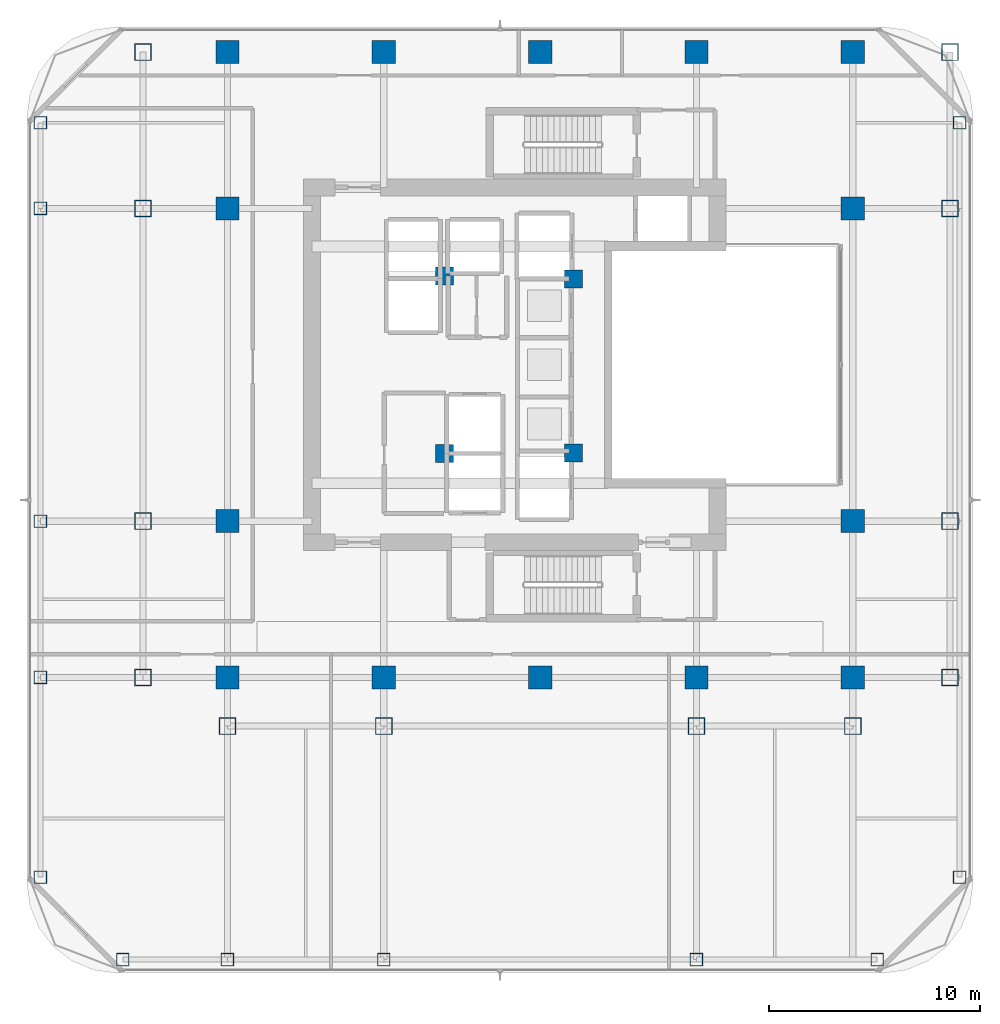
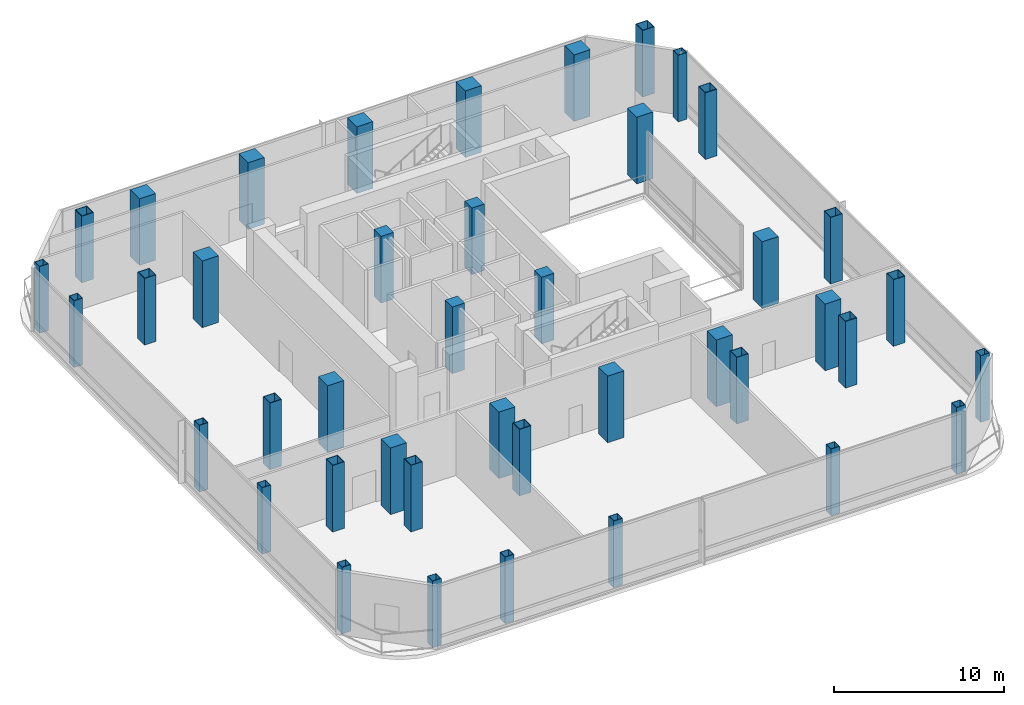
# One storey, part 1 of 22: 42 columns.
"""IFC4 building model written with IfcOpenShell, lengths in metres."""

from ifc_helpers import new_model, si_unit, direction, frame, origin, origin_2d, place, context, subcontext, project, spatial, rectangle, hollow_rectangle, extrude, material, material_profile, profile_set, type_object, element, save


model = new_model("IFC4")

# Units and contexts
model_context = context("Model", 3, precision=1e-05, world=origin(), true_north=direction((0.0, 1.0)))
body_context = subcontext(model_context, "Body", "Model", "MODEL_VIEW")
ifc_project = project(units=[si_unit("LENGTHUNIT", "METRE"), si_unit("AREAUNIT", "SQUARE_METRE"), si_unit("VOLUMEUNIT", "CUBIC_METRE"), si_unit("PLANEANGLEUNIT", "RADIAN"), si_unit("MASSUNIT", "GRAM", prefix="KILO")], contexts=[model_context])

# Site, building, storey
site_placement = place(None, origin())
site = spatial("IfcSite", under=ifc_project, at=site_placement, CompositionType="ELEMENT")
building_placement = place(site_placement, origin())
building = spatial("IfcBuilding", under=site, at=building_placement, Name="Khorvyn Point Tower", CompositionType="ELEMENT")
storey_placement = place(building_placement, frame((0.0, 0.0, 210.89990234375)))
storey = spatial("IfcBuildingStorey", under=building, at=storey_placement, Name="L52", CompositionType="ELEMENT", Elevation=210.89990234375)

# Columns
ifc_material_1 = material(Name="Concrete C40/50", Category="concrete")
ifc_material_profile_1 = material_profile(ifc_material_1, rectangle(XDim=0.85009765625, YDim=0.85009765625, at=origin_2d()))
ifc_profile_set_1 = profile_set([ifc_material_profile_1], Name="Concrete C40/50 RC850x850")
column_type_1 = type_object("IfcColumnType", Name="Concrete C40/50 Column RC850x850", PredefinedType="COLUMN", material=ifc_profile_set_1)
for number, where, z_axis, x_axis, name in (
    (1, (-4.52001953125, -4.199951171875, 0.0), (0.0, 0.0, 1.0), (1.0, 0.0, 0.0), "L52 Crown Core Spine Column 1"),
    (2, (1.580078125, -4.179931640625, 0.0), (0.0, 0.0, 1.0), (1.0, 0.0, 0.0), "L52 Crown Core Spine Column 2"),
    (3, (1.580078125, 4.050048828125, 0.0), (0.0, 0.0, 1.0), (1.0, 0.0, 0.0), "L52 Crown Core Spine Column 3"),
    (4, (-4.52001953125, 4.199951171875, 0.0), (0.0, 0.0, 1.0), (1.0, 0.0, 0.0), "L52 Crown Core Spine Column 4"),
):
    element("IfcColumn", number, at=place(storey_placement, frame(where, z_axis=z_axis, x_axis=x_axis)), inside=storey, type_object=column_type_1, Name=name, PredefinedType="COLUMN", context=body_context, shape_type="SweptSolid", body=[
        extrude(rectangle(XDim=0.85009765625, YDim=0.85009765625, at=origin_2d()), origin(), (0.0, 0.0, 1.0), 4.800048828125),
    ])
ifc_material_2 = material(Name="Concrete C45/55", Category="concrete")
ifc_material_profile_2 = material_profile(ifc_material_2, rectangle(XDim=1.10009765625, YDim=1.10009765625, at=origin_2d()))
ifc_profile_set_2 = profile_set([ifc_material_profile_2], Name="Concrete C45/55 RC1100x1100")
column_type_2 = type_object("IfcColumnType", Name="Concrete C45/55 Column RC1100x1100", PredefinedType="COLUMN", material=ifc_profile_set_2)
for number, where, z_axis, x_axis, name in (
    (5, (-14.800048828125, -14.800048828125, 0.0), (0.0, 0.0, 1.0), (1.0, 0.0, 0.0), "L52 Mega-Column MC-01"),
    (6, (-7.39990234375, -14.800048828125, 0.0), (0.0, 0.0, 1.0), (1.0, 0.0, 0.0), "L52 Mega-Column MC-02"),
    (7, (0.0, -14.800048828125, 0.0), (0.0, 0.0, 1.0), (1.0, 0.0, 0.0), "L52 Mega-Column MC-03"),
    (8, (7.39990234375, -14.800048828125, 0.0), (0.0, 0.0, 1.0), (1.0, 0.0, 0.0), "L52 Mega-Column MC-04"),
    (9, (14.800048828125, -14.800048828125, 0.0), (0.0, 0.0, 1.0), (1.0, 0.0, 0.0), "L52 Mega-Column MC-05"),
    (10, (-14.800048828125, 14.800048828125, 0.0), (0.0, 0.0, 1.0), (1.0, 0.0, 0.0), "L52 Mega-Column MC-06"),
    (11, (-7.39990234375, 14.800048828125, 0.0), (0.0, 0.0, 1.0), (1.0, 0.0, 0.0), "L52 Mega-Column MC-07"),
    (12, (0.0, 14.800048828125, 0.0), (0.0, 0.0, 1.0), (1.0, 0.0, 0.0), "L52 Mega-Column MC-08"),
    (13, (7.39990234375, 14.800048828125, 0.0), (0.0, 0.0, 1.0), (1.0, 0.0, 0.0), "L52 Mega-Column MC-09"),
    (14, (14.800048828125, 14.800048828125, 0.0), (0.0, 0.0, 1.0), (1.0, 0.0, 0.0), "L52 Mega-Column MC-10"),
    (15, (-14.800048828125, -7.39990234375, 0.0), (0.0, 0.0, 1.0), (1.0, 0.0, 0.0), "L52 Mega-Column MC-11"),
    (16, (-14.800048828125, 7.39990234375, 0.0), (0.0, 0.0, 1.0), (1.0, 0.0, 0.0), "L52 Mega-Column MC-12"),
    (17, (14.800048828125, -7.39990234375, 0.0), (0.0, 0.0, 1.0), (1.0, 0.0, 0.0), "L52 Mega-Column MC-13"),
    (18, (14.800048828125, 7.39990234375, 0.0), (0.0, 0.0, 1.0), (1.0, 0.0, 0.0), "L52 Mega-Column MC-14"),
):
    element("IfcColumn", number, at=place(storey_placement, frame(where, z_axis=z_axis, x_axis=x_axis)), inside=storey, type_object=column_type_2, Name=name, PredefinedType="COLUMN", context=body_context, shape_type="SweptSolid", body=[
        extrude(rectangle(XDim=1.10009765625, YDim=1.10009765625, at=origin_2d()), origin(), (0.0, 0.0, 1.0), 4.800048828125),
    ])
ifc_material_3 = material(Name="Steel S450", Category="steel")
ifc_material_profile_3 = material_profile(ifc_material_3, hollow_rectangle(XDim=0.60009765625, YDim=0.60009765625, WallThickness=0.028076171875, at=origin_2d()))
ifc_profile_set_3 = profile_set([ifc_material_profile_3], Name="Steel S450 BOX600x600x28")
column_type_3 = type_object("IfcColumnType", Name="Steel S450 Structural Column BOX600x600x28", PredefinedType="COLUMN", material=ifc_profile_set_3)
for number, where, z_axis, x_axis, name in (
    (19, (-19.75, -28.14990234375, 0.0), (0.0, 0.0, 1.0), (1.0, 0.0, 0.0), "L52 Perimeter Tube Column TC-01"),
    (20, (15.949951171875, -28.14990234375, 0.0), (0.0, 0.0, 1.0), (1.0, 0.0, 0.0), "L52 Perimeter Tube Column TC-02"),
    (21, (-23.64990234375, -24.25, 0.0), (0.0, 0.0, 1.0), (1.0, 0.0, 0.0), "L52 Perimeter Tube Column TC-03"),
    (22, (-23.64990234375, 11.449951171875, 0.0), (0.0, 0.0, 1.0), (1.0, 0.0, 0.0), "L52 Perimeter Tube Column TC-04"),
    (23, (19.85009765625, -24.25, 0.0), (0.0, 0.0, 1.0), (1.0, 0.0, 0.0), "L52 Perimeter Tube Column TC-05"),
    (24, (19.85009765625, 11.449951171875, 0.0), (0.0, 0.0, 1.0), (1.0, 0.0, 0.0), "L52 Perimeter Tube Column TC-06"),
    (25, (-14.800048828125, -28.14990234375, 0.0), (0.0, 0.0, 1.0), (1.0, 0.0, 0.0), "L52 Perimeter Tube Column TC-07"),
    (26, (-7.39990234375, -28.14990234375, 0.0), (0.0, 0.0, 1.0), (1.0, 0.0, 0.0), "L52 Perimeter Tube Column TC-08"),
    (27, (7.39990234375, -28.14990234375, 0.0), (0.0, 0.0, 1.0), (1.0, 0.0, 0.0), "L52 Perimeter Tube Column TC-09"),
    (28, (-23.64990234375, -14.800048828125, 0.0), (0.0, 0.0, 1.0), (1.0, 0.0, 0.0), "L52 Perimeter Tube Column TC-10"),
    (29, (-23.64990234375, -7.39990234375, 0.0), (0.0, 0.0, 1.0), (1.0, 0.0, 0.0), "L52 Perimeter Tube Column TC-11"),
    (30, (-23.64990234375, 7.39990234375, 0.0), (0.0, 0.0, 1.0), (1.0, 0.0, 0.0), "L52 Perimeter Tube Column TC-12"),
):
    element("IfcColumn", number, at=place(storey_placement, frame(where, z_axis=z_axis, x_axis=x_axis)), inside=storey, type_object=column_type_3, Name=name, PredefinedType="COLUMN", context=body_context, shape_type="SweptSolid", body=[
        extrude(hollow_rectangle(XDim=0.60009765625, YDim=0.60009765625, WallThickness=0.028076171875, at=origin_2d()), origin(), (0.0, 0.0, 1.0), 4.800048828125),
    ])
ifc_material_profile_4 = material_profile(ifc_material_3, hollow_rectangle(XDim=0.800048828125, YDim=0.800048828125, WallThickness=0.035888671875, at=origin_2d()))
ifc_profile_set_4 = profile_set([ifc_material_profile_4], Name="Steel S450 BOX800x800x36")
column_type_4 = type_object("IfcColumnType", Name="Steel S450 Structural Column BOX800x800x36", PredefinedType="COLUMN", material=ifc_profile_set_4)
for number, where, z_axis, x_axis, name in (
    (31, (-18.800048828125, -14.800048828125, 0.0), (0.0, 0.0, 1.0), (1.0, 0.0, 0.0), "L52 Intermediate Column ICW--14"),
    (32, (-18.800048828125, -7.39990234375, 0.0), (0.0, 0.0, 1.0), (1.0, 0.0, 0.0), "L52 Intermediate Column ICW--7"),
    (33, (-18.800048828125, 7.39990234375, 0.0), (0.0, 0.0, 1.0), (1.0, 0.0, 0.0), "L52 Intermediate Column ICW-7"),
    (34, (-18.800048828125, 14.800048828125, 0.0), (0.0, 0.0, 1.0), (1.0, 0.0, 0.0), "L52 Intermediate Column ICW-14"),
    (35, (19.39990234375, -14.800048828125, 0.0), (0.0, 0.0, 1.0), (1.0, 0.0, 0.0), "L52 Intermediate Column ICE--14"),
    (36, (19.39990234375, -7.39990234375, 0.0), (0.0, 0.0, 1.0), (1.0, 0.0, 0.0), "L52 Intermediate Column ICE--7"),
    (37, (19.39990234375, 7.39990234375, 0.0), (0.0, 0.0, 1.0), (1.0, 0.0, 0.0), "L52 Intermediate Column ICE-7"),
    (38, (19.39990234375, 14.800048828125, 0.0), (0.0, 0.0, 1.0), (1.0, 0.0, 0.0), "L52 Intermediate Column ICE-14"),
    (39, (-14.800048828125, -17.10009765625, 0.0), (0.0, 0.0, 1.0), (1.0, 0.0, 0.0), "L52 Intermediate Column ICS--14"),
    (40, (-7.39990234375, -17.10009765625, 0.0), (0.0, 0.0, 1.0), (1.0, 0.0, 0.0), "L52 Intermediate Column ICS--7"),
    (41, (7.39990234375, -17.10009765625, 0.0), (0.0, 0.0, 1.0), (1.0, 0.0, 0.0), "L52 Intermediate Column ICS-7"),
    (42, (14.800048828125, -17.10009765625, 0.0), (0.0, 0.0, 1.0), (1.0, 0.0, 0.0), "L52 Intermediate Column ICS-14"),
):
    element("IfcColumn", number, at=place(storey_placement, frame(where, z_axis=z_axis, x_axis=x_axis)), inside=storey, type_object=column_type_4, Name=name, PredefinedType="COLUMN", context=body_context, shape_type="SweptSolid", body=[
        extrude(hollow_rectangle(XDim=0.800048828125, YDim=0.800048828125, WallThickness=0.035888671875, at=origin_2d()), origin(), (0.0, 0.0, 1.0), 4.800048828125),
    ])

save(model, "model.ifc")
